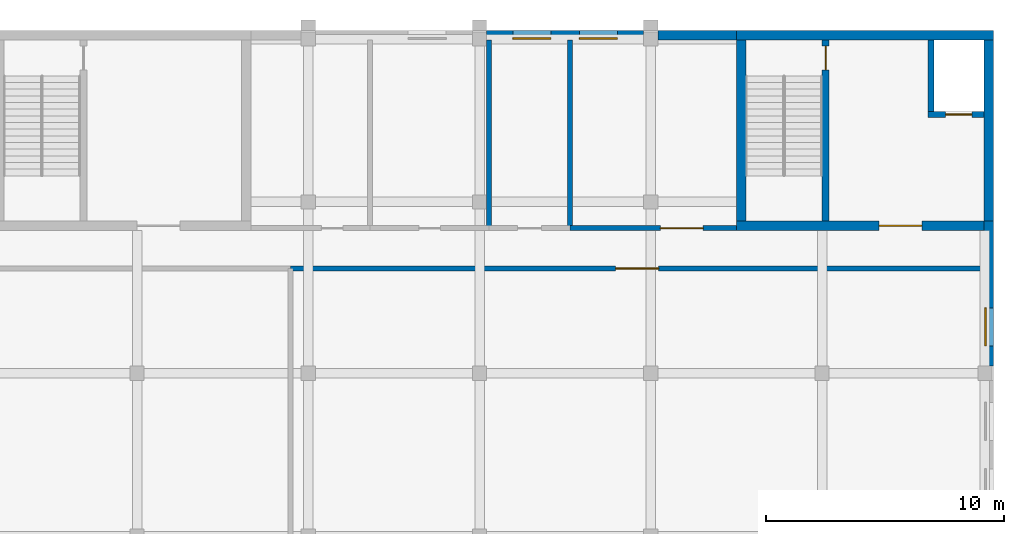
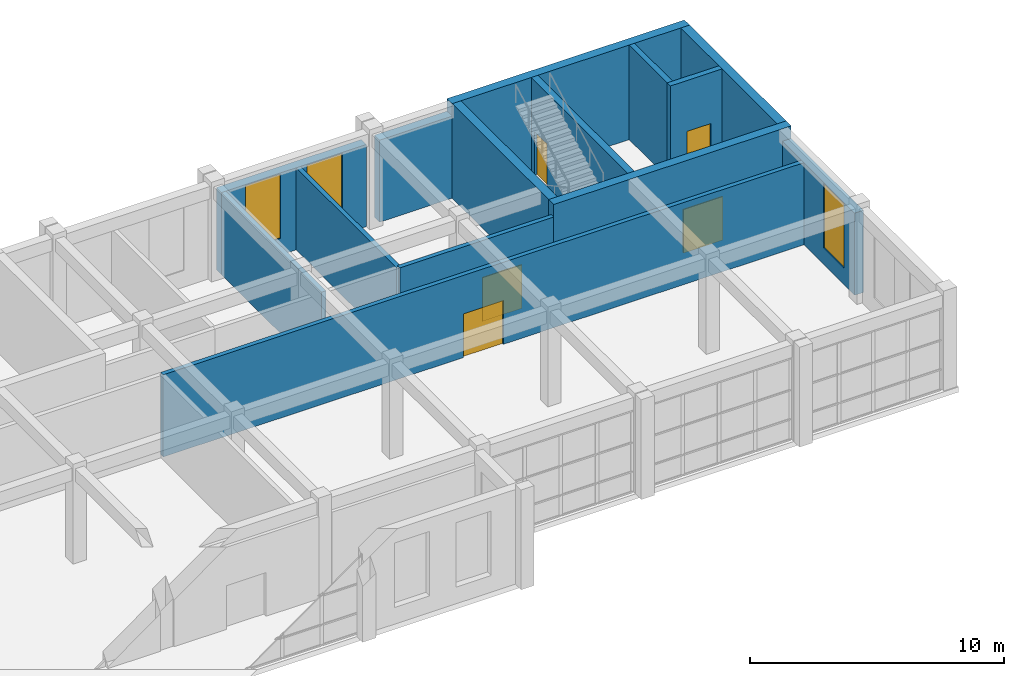
# One storey, part 142 of 149: 14 walls, 5 doors, 3 windows, 8 openings.
"""IFC4 building model written with IfcOpenShell, lengths in metres."""

from ifc_helpers import new_model, si_unit, direction, frame, frame_2d, origin, place, context, subcontext, project, spatial, rectangle, extrude, material, layer, layer_set, type_object, element, fill, save


model = new_model("IFC4")

# Units and contexts
model_context = context("Model", 3, precision=1e-05, world=origin(), true_north=direction((0.0, 1.0)))
body_context = subcontext(model_context, "Body", "Model", "MODEL_VIEW")
ifc_project = project(units=[si_unit("LENGTHUNIT", "METRE"), si_unit("AREAUNIT", "SQUARE_METRE"), si_unit("VOLUMEUNIT", "CUBIC_METRE"), si_unit("PLANEANGLEUNIT", "RADIAN"), si_unit("MASSUNIT", "GRAM", prefix="KILO")], contexts=[model_context])

# Site, building, storey
site_placement = place(None, origin())
site = spatial("IfcSite", under=ifc_project, at=site_placement, CompositionType="ELEMENT")
building_placement = place(site_placement, origin())
building = spatial("IfcBuilding", under=site, at=building_placement, Name="Alderwick Market Hall", CompositionType="ELEMENT")
storey_placement = place(building_placement, frame((0.0, 0.0, 9.60009765625)))
storey = spatial("IfcBuildingStorey", under=building, at=storey_placement, Name="L01", CompositionType="ELEMENT", Elevation=9.60009765625)

# Wall, openings, windows
ifc_material_1 = material(Name="Face brick", Category="masonry")
ifc_layer_1 = layer(ifc_material_1, 0.39990234375)
ifc_layer_set_1 = layer_set([ifc_layer_1], Name="Face brick")
wall_type_1 = type_object("IfcWallType", Name="F Brick Pier Wall 400", PredefinedType="SOLIDWALL", material=ifc_layer_set_1)
wall_1_placement = place(storey_placement, frame((209.10009765625, 151.0, 0.0), z_axis=(0.0, 0.0, 1.0), x_axis=(1.0, 0.0, 0.0)))
wall_1 = element("IfcWall", 1, at=wall_1_placement, inside=storey, type_object=wall_type_1, Name="F.wall.L01.fac.back.09", PredefinedType="SOLIDWALL", context=body_context, shape_type="SweptSolid", body=[
    extrude(rectangle(XDim=6.599853515625, YDim=0.39990234375, at=frame_2d((3.2998046875, 0.0))), origin(), (0.0, 0.0, 1.0), 3.949951171875),
])
opening_1_placement = place(wall_1_placement, frame((1.10009765625, 0.0, 0.800048828125)))
opening_1 = element("IfcOpeningElement", 2, at=opening_1_placement, cuts=wall_1, Name="Opening F-W028", PredefinedType="OPENING", context=body_context, shape_type="SweptSolid", body=[
    extrude(rectangle(XDim=1.60009765625, YDim=3.10009765625, at=frame_2d((0.800048828125, 1.550048828125))), frame((0.0, 0.2099609375, 0.0), z_axis=(0.0, -1.0, 0.0), x_axis=(1.0, 0.0, 0.0)), (0.0, 0.0, 1.0), 0.419921875),
])
opening_2_placement = place(wall_1_placement, frame((3.89990234375, 0.0, 0.800048828125)))
opening_2 = element("IfcOpeningElement", 3, at=opening_2_placement, cuts=wall_1, Name="Opening F-W029", PredefinedType="OPENING", context=body_context, shape_type="SweptSolid", body=[
    extrude(rectangle(XDim=1.60009765625, YDim=3.10009765625, at=frame_2d((0.800048828125, 1.550048828125))), frame((0.0, 0.2099609375, 0.0), z_axis=(0.0, -1.0, 0.0), x_axis=(1.0, 0.0, 0.0)), (0.0, 0.0, 1.0), 0.419921875),
])
ifc_material_2 = material(Name="Aluminium frame, double glazing", Category="aluminium")
window_type = type_object("IfcWindowType", Name="F Piano Nobile Window 1600x3100", PartitioningType="SINGLE_PANEL", PredefinedType="WINDOW", material=ifc_material_2)
window_1_placement = place(opening_1_placement, origin())
window_1 = element("IfcWindow", 4, at=window_1_placement, inside=storey, type_object=window_type, Name="F.win.L01.028", OverallHeight=3.10009765625, OverallWidth=1.60009765625, PartitioningType="SINGLE_PANEL", PredefinedType="WINDOW", context=body_context, shape_type="SweptSolid", body=[
    extrude(rectangle(XDim=1.60009765625, YDim=3.10009765625, at=frame_2d((0.800048828125, 1.550048828125))), frame((0.0, -0.090087890625, 0.0), z_axis=(0.0, -1.0, 0.0), x_axis=(1.0, 0.0, 0.0)), (0.0, 0.0, 1.0), 0.06005859375),
])
fill(opening_1, window_1)
window_2_placement = place(opening_2_placement, origin())
window_2 = element("IfcWindow", 5, at=window_2_placement, inside=storey, type_object=window_type, Name="F.win.L01.029", OverallHeight=3.10009765625, OverallWidth=1.60009765625, PartitioningType="SINGLE_PANEL", PredefinedType="WINDOW", context=body_context, shape_type="SweptSolid", body=[
    extrude(rectangle(XDim=1.60009765625, YDim=3.10009765625, at=frame_2d((0.800048828125, 1.550048828125))), frame((0.0, -0.090087890625, 0.0), z_axis=(0.0, -1.0, 0.0), x_axis=(1.0, 0.0, 0.0)), (0.0, 0.0, 1.0), 0.06005859375),
])
fill(opening_2, window_2)

# Walls
wall_2_placement = place(storey_placement, frame((216.300048828125, 151.0, 0.0), z_axis=(0.0, 0.0, 1.0), x_axis=(1.0, 0.0, 0.0)))
element("IfcWall", 6, at=wall_2_placement, inside=storey, type_object=wall_type_1, Name="F.wall.L01.fac.back.10", PredefinedType="SOLIDWALL", context=body_context, shape_type="SweptSolid", body=[
    extrude(rectangle(XDim=3.300048828125, YDim=0.39990234375, at=frame_2d((1.64990234375, 0.0))), origin(), (0.0, 0.0, 1.0), 3.949951171875),
])
ifc_material_3 = material(Name="Concrete 5000 psi (f'c 35 MPa)", Category="concrete")
ifc_layer_2 = layer(ifc_material_3, 0.39990234375)
ifc_layer_set_2 = layer_set([ifc_layer_2], Name="Concrete 5000 psi (f'c 35 MPa)")
wall_type_2 = type_object("IfcWallType", Name="F Core Wall Concrete 5000 psi 400", PredefinedType="SHEAR", material=ifc_layer_set_2)
wall_3_placement = place(storey_placement, frame((219.60009765625, 151.0, 0.0), z_axis=(0.0, 0.0, 1.0), x_axis=(1.0, 0.0, 0.0)))
element("IfcWall", 7, at=wall_3_placement, inside=storey, type_object=wall_type_2, Name="F.wall.L01.fac.back.11", PredefinedType="SHEAR", context=body_context, shape_type="SweptSolid", body=[
    extrude(rectangle(XDim=10.7998046875, YDim=0.39990234375, at=frame_2d((5.39990234375, 0.0))), origin(), (0.0, 0.0, 1.0), 4.5498046875),
])
wall_4_placement = place(storey_placement, frame((230.199951171875, 150.800048828125, 0.0), z_axis=(0.0, 0.0, 1.0), x_axis=(0.0, -1.0, 0.0)))
element("IfcWall", 8, at=wall_4_placement, inside=storey, type_object=wall_type_2, Name="F.wall.L01.fac.east.03", PredefinedType="SHEAR", context=body_context, shape_type="SweptSolid", body=[
    extrude(rectangle(XDim=7.60009765625, YDim=0.39990234375, at=frame_2d((3.800048828125, 0.0))), origin(), (0.0, 0.0, 1.0), 4.5498046875),
])

# Wall, opening, door
wall_5_placement = place(storey_placement, frame((219.60009765625, 143.0, 0.0), z_axis=(0.0, 0.0, 1.0), x_axis=(1.0, 0.0, 0.0)))
wall_5 = element("IfcWall", 9, at=wall_5_placement, inside=storey, type_object=wall_type_2, Name="F.wall.L01.core.C.front.01", PredefinedType="SHEAR", context=body_context, shape_type="SweptSolid", body=[
    extrude(rectangle(XDim=10.7998046875, YDim=0.39990234375, at=frame_2d((5.39990234375, 0.0))), origin(), (0.0, 0.0, 1.0), 4.5498046875),
])
opening_3_placement = place(wall_5_placement, frame((6.0, 0.0, 0.0)))
opening_3 = element("IfcOpeningElement", 10, at=opening_3_placement, cuts=wall_5, Name="Opening F-D068", PredefinedType="OPENING", context=body_context, shape_type="SweptSolid", body=[
    extrude(rectangle(XDim=1.800048828125, YDim=2.10009765625, at=frame_2d((0.89990234375, 1.050048828125))), frame((0.0, 0.2099609375, 0.0), z_axis=(0.0, -1.0, 0.0), x_axis=(1.0, 0.0, 0.0)), (0.0, 0.0, 1.0), 0.419921875),
])
ifc_material_4 = material(Name="Steel, insulated", Category="steel")
door_type_1 = type_object("IfcDoorType", Name="F Fire Door Pair FD90 1800x2100", OperationType="NOTDEFINED", PredefinedType="DOOR", material=ifc_material_4)
door_1_placement = place(opening_3_placement, origin())
door_1 = element("IfcDoor", 11, at=door_1_placement, inside=storey, type_object=door_type_1, Name="F.door.L01.068", OperationType="NOTDEFINED", OverallHeight=2.10009765625, OverallWidth=1.800048828125, PredefinedType="DOOR", context=body_context, shape_type="SweptSolid", body=[
    extrude(rectangle(XDim=1.800048828125, YDim=2.10009765625, at=frame_2d((0.89990234375, 1.050048828125))), frame((0.0, 0.02490234375, 0.0), z_axis=(0.0, -1.0, 0.0), x_axis=(1.0, 0.0, 0.0)), (0.0, 0.0, 1.0), 0.050048828125),
])
fill(opening_3, door_1)

# Wall
wall_6_placement = place(storey_placement, frame((219.800048828125, 143.199951171875, 0.0), z_axis=(0.0, 0.0, 1.0), x_axis=(0.0, 1.0, 0.0)))
element("IfcWall", 12, at=wall_6_placement, inside=storey, type_object=wall_type_2, Name="F.wall.L01.core.C.west.01", PredefinedType="SHEAR", context=body_context, shape_type="SweptSolid", body=[
    extrude(rectangle(XDim=7.60009765625, YDim=0.39990234375, at=frame_2d((3.800048828125, 0.0))), origin(), (0.0, 0.0, 1.0), 4.5498046875),
])

# Wall, opening, window
ifc_layer_3 = layer(ifc_material_3, 0.39990234375)
ifc_layer_set_3 = layer_set([ifc_layer_3], Name="Concrete 5000 psi (f'c 35 MPa)")
wall_type_3 = type_object("IfcWallType", Name="F End Shear Wall Concrete 5000 psi 400", PredefinedType="SHEAR", material=ifc_layer_set_3)
wall_7_placement = place(storey_placement, frame((230.199951171875, 143.199951171875, 0.0), z_axis=(0.0, 0.0, 1.0), x_axis=(0.0, -1.0, 0.0)))
wall_7 = element("IfcWall", 13, at=wall_7_placement, inside=storey, type_object=wall_type_3, Name="F.wall.L01.fac.east.02", PredefinedType="SHEAR", context=body_context, shape_type="SweptSolid", body=[
    extrude(rectangle(XDim=6.099853515625, YDim=0.39990234375, at=frame_2d((3.0498046875, 0.0))), origin(), (0.0, 0.0, 1.0), 3.949951171875),
])
opening_4_placement = place(wall_7_placement, frame((3.64990234375, 0.0, 0.800048828125)))
opening_4 = element("IfcOpeningElement", 14, at=opening_4_placement, cuts=wall_7, Name="Opening F-W032", PredefinedType="OPENING", context=body_context, shape_type="SweptSolid", body=[
    extrude(rectangle(XDim=1.60009765625, YDim=3.10009765625, at=frame_2d((0.800048828125, 1.550048828125))), frame((0.0, 0.2099609375, 0.0), z_axis=(0.0, -1.0, 0.0), x_axis=(1.0, 0.0, 0.0)), (0.0, 0.0, 1.0), 0.419921875),
])
window_3_placement = place(opening_4_placement, origin())
window_3 = element("IfcWindow", 15, at=window_3_placement, inside=storey, type_object=window_type, Name="F.win.L01.032", OverallHeight=3.10009765625, OverallWidth=1.60009765625, PartitioningType="SINGLE_PANEL", PredefinedType="WINDOW", context=body_context, shape_type="SweptSolid", body=[
    extrude(rectangle(XDim=1.60009765625, YDim=3.10009765625, at=frame_2d((0.800048828125, 1.550048828125))), frame((0.0, -0.090087890625, 0.0), z_axis=(0.0, -1.0, 0.0), x_axis=(1.0, 0.0, 0.0)), (0.0, 0.0, 1.0), 0.06005859375),
])
fill(opening_4, window_3)

# Wall
ifc_layer_4 = layer(ifc_material_3, 0.25)
ifc_layer_set_4 = layer_set([ifc_layer_4], Name="Concrete 5000 psi (f'c 35 MPa)")
wall_type_4 = type_object("IfcWallType", Name="F Lift Shaft Wall Concrete 5000 psi 250", PredefinedType="SHEAR", material=ifc_layer_set_4)
wall_8_placement = place(storey_placement, frame((227.77490234375, 147.550048828125, 0.0), z_axis=(0.0, 0.0, 1.0), x_axis=(0.0, 1.0, 0.0)))
element("IfcWall", 16, at=wall_8_placement, inside=storey, type_object=wall_type_4, Name="F.wall.L01.core.C.shaftw.01", PredefinedType="SHEAR", context=body_context, shape_type="SweptSolid", body=[
    extrude(rectangle(XDim=3.25, YDim=0.25, at=frame_2d((1.625, 0.0))), origin(), (0.0, 0.0, 1.0), 4.5498046875),
])

# Wall, opening, door
wall_9_placement = place(storey_placement, frame((227.64990234375, 147.675048828125, 0.0), z_axis=(0.0, 0.0, 1.0), x_axis=(1.0, 0.0, 0.0)))
wall_9 = element("IfcWall", 17, at=wall_9_placement, inside=storey, type_object=wall_type_4, Name="F.wall.L01.core.C.shaftf.01", PredefinedType="SHEAR", context=body_context, shape_type="SweptSolid", body=[
    extrude(rectangle(XDim=2.35009765625, YDim=0.25, at=frame_2d((1.175048828125, 0.0))), origin(), (0.0, 0.0, 1.0), 4.5498046875),
])
opening_5_placement = place(wall_9_placement, frame((0.75, 0.0, 0.0)))
opening_5 = element("IfcOpeningElement", 18, at=opening_5_placement, cuts=wall_9, Name="Opening F-D069", PredefinedType="OPENING", context=body_context, shape_type="SweptSolid", body=[
    extrude(rectangle(XDim=1.10009765625, YDim=2.10009765625, at=frame_2d((0.550048828125, 1.050048828125))), frame((0.0, 0.135009765625, 0.0), z_axis=(0.0, -1.0, 0.0), x_axis=(1.0, 0.0, 0.0)), (0.0, 0.0, 1.0), 0.27001953125),
])
ifc_material_5 = material(Name="Stainless steel", Category="steel")
door_type_2 = type_object("IfcDoorType", Name="F Lift Landing Door 1100x2100", OperationType="SLIDING_TO_LEFT", PredefinedType="DOOR", material=ifc_material_5)
door_2_placement = place(opening_5_placement, origin())
door_2 = element("IfcDoor", 19, at=door_2_placement, inside=storey, type_object=door_type_2, Name="F.door.L01.069", OperationType="SLIDING_TO_LEFT", OverallHeight=2.10009765625, OverallWidth=1.10009765625, PredefinedType="DOOR", context=body_context, shape_type="SweptSolid", body=[
    extrude(rectangle(XDim=1.10009765625, YDim=2.10009765625, at=frame_2d((0.550048828125, 1.050048828125))), frame((0.0, 0.02490234375, 0.0), z_axis=(0.0, -1.0, 0.0), x_axis=(1.0, 0.0, 0.0)), (0.0, 0.0, 1.0), 0.050048828125),
])
fill(opening_5, door_2)

ifc_material_6 = material(Name="Gypsum board on steel studs", Category="steel")
ifc_layer_5 = layer(ifc_material_6, 0.199951171875)
ifc_layer_set_5 = layer_set([ifc_layer_5], Name="Gypsum board on steel studs")
wall_type_5 = type_object("IfcWallType", Name="F Partition Wall 200", PredefinedType="PARTITIONING", material=ifc_layer_set_5)
wall_10_placement = place(storey_placement, frame((200.85009765625, 141.199951171875, 0.0), z_axis=(0.0, 0.0, 1.0), x_axis=(1.0, 0.0, 0.0)))
wall_10 = element("IfcWall", 20, at=wall_10_placement, inside=storey, type_object=wall_type_5, Name="F.wall.L01.part.002", PredefinedType="PARTITIONING", context=body_context, shape_type="SweptSolid", body=[
    extrude(rectangle(XDim=29.14990234375, YDim=0.199951171875, at=frame_2d((14.574951171875, 0.0))), origin(), (0.0, 0.0, 1.0), 3.949951171875),
])
opening_6_placement = place(wall_10_placement, frame((13.675048828125, 0.0, 0.0)))
opening_6 = element("IfcOpeningElement", 21, at=opening_6_placement, cuts=wall_10, Name="Opening F-D071", PredefinedType="OPENING", context=body_context, shape_type="SweptSolid", body=[
    extrude(rectangle(XDim=1.800048828125, YDim=2.10009765625, at=frame_2d((0.89990234375, 1.050048828125))), frame((0.0, 0.10986328125, 0.0), z_axis=(0.0, -1.0, 0.0), x_axis=(1.0, 0.0, 0.0)), (0.0, 0.0, 1.0), 0.219970703125),
])
ifc_material_7 = material(Name="Timber, solid core", Category="wood")
door_type_3 = type_object("IfcDoorType", Name="F Door Pair 1800x2100", OperationType="NOTDEFINED", PredefinedType="DOOR", material=ifc_material_7)
door_3_placement = place(opening_6_placement, origin())
door_3 = element("IfcDoor", 22, at=door_3_placement, inside=storey, type_object=door_type_3, Name="F.door.L01.071", OperationType="NOTDEFINED", OverallHeight=2.10009765625, OverallWidth=1.800048828125, PredefinedType="DOOR", context=body_context, shape_type="SweptSolid", body=[
    extrude(rectangle(XDim=1.800048828125, YDim=2.10009765625, at=frame_2d((0.89990234375, 1.050048828125))), frame((0.0, 0.02490234375, 0.0), z_axis=(0.0, -1.0, 0.0), x_axis=(1.0, 0.0, 0.0)), (0.0, 0.0, 1.0), 0.050048828125),
])
fill(opening_6, door_3)

wall_11_placement = place(storey_placement, frame((212.60009765625, 142.89990234375, 0.0), z_axis=(0.0, 0.0, 1.0), x_axis=(1.0, 0.0, 0.0)))
wall_11 = element("IfcWall", 23, at=wall_11_placement, inside=storey, type_object=wall_type_5, Name="F.wall.L01.part.007", PredefinedType="PARTITIONING", context=body_context, shape_type="SweptSolid", body=[
    extrude(rectangle(XDim=7.0, YDim=0.199951171875, at=frame_2d((3.5, 0.0))), origin(), (0.0, 0.0, 1.0), 3.949951171875),
])
opening_7_placement = place(wall_11_placement, frame((3.800048828125, 0.0, 0.0)))
opening_7 = element("IfcOpeningElement", 24, at=opening_7_placement, cuts=wall_11, Name="Opening F-D076", PredefinedType="OPENING", context=body_context, shape_type="SweptSolid", body=[
    extrude(rectangle(XDim=1.800048828125, YDim=2.10009765625, at=frame_2d((0.89990234375, 1.050048828125))), frame((0.0, 0.10986328125, 0.0), z_axis=(0.0, -1.0, 0.0), x_axis=(1.0, 0.0, 0.0)), (0.0, 0.0, 1.0), 0.219970703125),
])
door_4_placement = place(opening_7_placement, origin())
door_4 = element("IfcDoor", 25, at=door_4_placement, inside=storey, type_object=door_type_3, Name="F.door.L01.076", OperationType="NOTDEFINED", OverallHeight=2.10009765625, OverallWidth=1.800048828125, PredefinedType="DOOR", context=body_context, shape_type="SweptSolid", body=[
    extrude(rectangle(XDim=1.800048828125, YDim=2.10009765625, at=frame_2d((0.89990234375, 1.050048828125))), frame((0.0, 0.02490234375, 0.0), z_axis=(0.0, -1.0, 0.0), x_axis=(1.0, 0.0, 0.0)), (0.0, 0.0, 1.0), 0.050048828125),
])
fill(opening_7, door_4)

# Walls
for number, where, z_axis, x_axis, name in (
    (26, (209.199951171875, 142.89990234375, 0.0), (0.0, 0.0, 1.0), (0.0, 1.0, 0.0), "F.wall.L01.part.010"),
    (27, (212.60009765625, 142.89990234375, 0.0), (0.0, 0.0, 1.0), (0.0, 1.0, 0.0), "F.wall.L01.part.011"),
):
    element("IfcWall", number, at=place(storey_placement, frame(where, z_axis=z_axis, x_axis=x_axis)), inside=storey, type_object=wall_type_5, Name=name, PredefinedType="PARTITIONING", context=body_context, shape_type="SweptSolid", body=[
        extrude(rectangle(XDim=7.900146484375, YDim=0.199951171875, at=frame_2d((3.9501953125, 0.0))), origin(), (0.0, 0.0, 1.0), 3.949951171875),
    ])

# Wall, opening, door
ifc_layer_6 = layer(ifc_material_3, 0.300048828125)
ifc_layer_set_6 = layer_set([ifc_layer_6], Name="Concrete 5000 psi (f'c 35 MPa)")
wall_type_6 = type_object("IfcWallType", Name="F Stair Divider Wall Concrete 5000 psi 300", PredefinedType="SHEAR", material=ifc_layer_set_6)
wall_12_placement = place(storey_placement, frame((223.35009765625, 143.199951171875, 0.0), z_axis=(0.0, 0.0, 1.0), x_axis=(0.0, 1.0, 0.0)))
wall_12 = element("IfcWall", 28, at=wall_12_placement, inside=storey, type_object=wall_type_6, Name="F.wall.L01.core.C.div.01", PredefinedType="SHEAR", context=body_context, shape_type="SweptSolid", body=[
    extrude(rectangle(XDim=7.60009765625, YDim=0.300048828125, at=frame_2d((3.800048828125, 0.0))), origin(), (0.0, 0.0, 1.0), 4.5498046875),
])
opening_8_placement = place(wall_12_placement, frame((6.35009765625, 0.0, 0.0)))
opening_8 = element("IfcOpeningElement", 29, at=opening_8_placement, cuts=wall_12, Name="Opening F-D067", PredefinedType="OPENING", context=body_context, shape_type="SweptSolid", body=[
    extrude(rectangle(XDim=1.0, YDim=2.10009765625, at=frame_2d((0.5, 1.050048828125))), frame((0.0, 0.159912109375, 0.0), z_axis=(0.0, -1.0, 0.0), x_axis=(1.0, 0.0, 0.0)), (0.0, 0.0, 1.0), 0.320068359375),
])
door_type_4 = type_object("IfcDoorType", Name="F Fire Door FD90 1000x2100", OperationType="NOTDEFINED", PredefinedType="DOOR", material=ifc_material_4)
door_5_placement = place(opening_8_placement, origin())
door_5 = element("IfcDoor", 30, at=door_5_placement, inside=storey, type_object=door_type_4, Name="F.door.L01.067", OperationType="NOTDEFINED", OverallHeight=2.10009765625, OverallWidth=1.0, PredefinedType="DOOR", context=body_context, shape_type="SweptSolid", body=[
    extrude(rectangle(XDim=1.0, YDim=2.10009765625, at=frame_2d((0.5, 1.050048828125))), frame((0.0, 0.02490234375, 0.0), z_axis=(0.0, -1.0, 0.0), x_axis=(1.0, 0.0, 0.0)), (0.0, 0.0, 1.0), 0.050048828125),
])
fill(opening_8, door_5)

save(model, "model.ifc")
